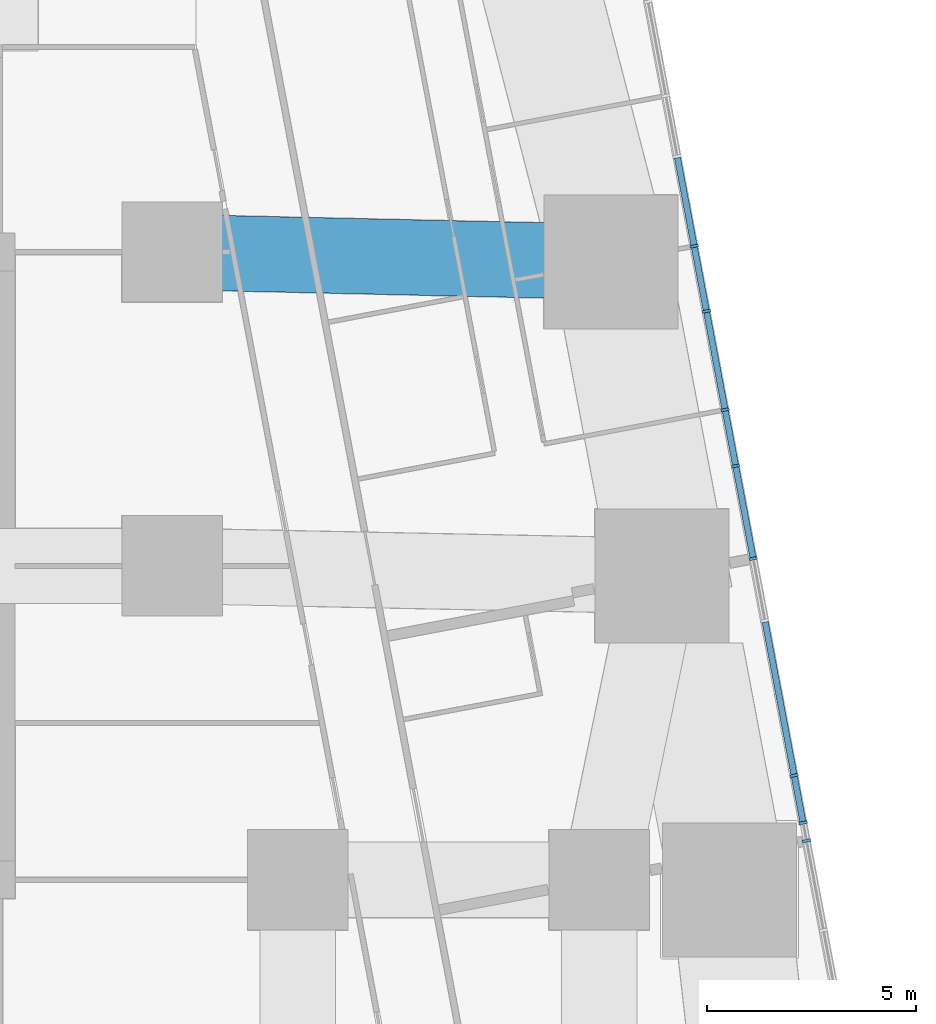
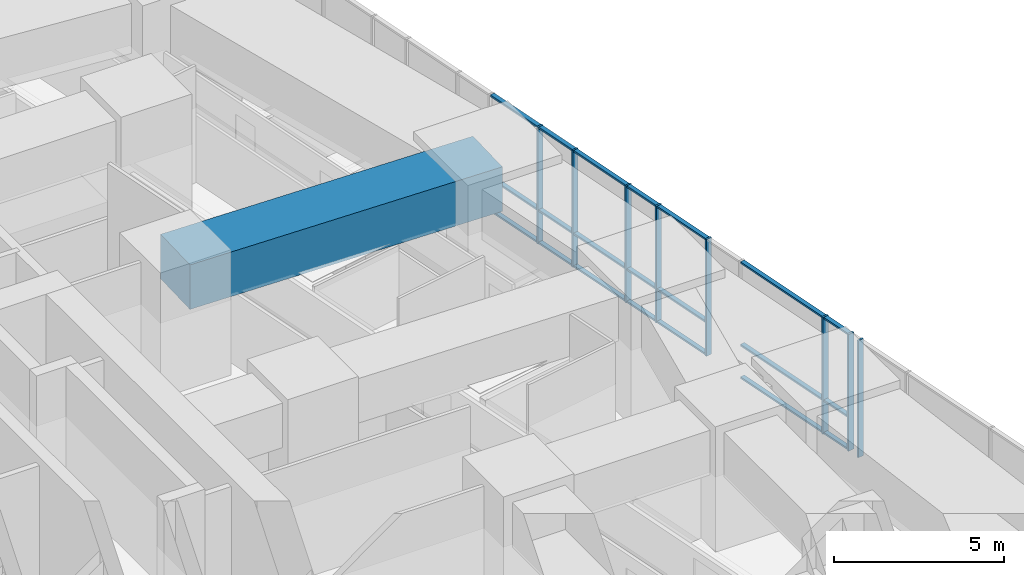
# One storey, part 6 of 23: 29 members, 1 beam, 1 element without a shape of its own.
"""IFC4 building model written with IfcOpenShell, lengths in metres."""

from ifc_helpers import new_model, si_unit, direction, frame, origin, origin_2d, place, context, subcontext, project, spatial, rectangle, extrude, material, material_profile, profile_set, type_object, element, aggregate, save


model = new_model("IFC4")

# Units and contexts
model_context = context("Model", 3, precision=1e-05, world=origin(), true_north=direction((0.0, 1.0)))
body_context = subcontext(model_context, "Body", "Model", "MODEL_VIEW")
ifc_project = project(units=[si_unit("LENGTHUNIT", "METRE"), si_unit("AREAUNIT", "SQUARE_METRE"), si_unit("VOLUMEUNIT", "CUBIC_METRE"), si_unit("PLANEANGLEUNIT", "RADIAN"), si_unit("MASSUNIT", "GRAM", prefix="KILO")], contexts=[model_context])

# Site, building, storey
site_placement = place(None, origin())
site = spatial("IfcSite", under=ifc_project, at=site_placement, CompositionType="ELEMENT")
building_placement = place(site_placement, origin())
building = spatial("IfcBuilding", under=site, at=building_placement, Name="Sheger Commons Tower", CompositionType="ELEMENT")
storey_placement = place(building_placement, frame((0.0, 0.0, 5.60009765625)))
storey = spatial("IfcBuildingStorey", under=building, at=storey_placement, Name="L01", CompositionType="ELEMENT", Elevation=5.60009765625)

# Beam
ifc_material_1 = material(Name="Concrete C50/60", Category="concrete")
ifc_material_profile_1 = material_profile(ifc_material_1, rectangle(XDim=1.800048828125, YDim=1.60009765625, at=origin_2d()), Name="RC 1800x1600")
ifc_profile_set_1 = profile_set([ifc_material_profile_1], Name="Concrete C50/60")
beam_type = type_object("IfcBeamType", Name="BEAM RC 1800x1600", PredefinedType="BEAM", material=ifc_profile_set_1)
beam_placement = place(storey_placement, frame((33.0, 30.0, 3.39990234375), z_axis=(0.999744258625, -0.022614538395, 0.0), x_axis=(0.022614538395, 0.999744258625, 0.0)))
element("IfcBeam", 1, at=beam_placement, inside=storey, type_object=beam_type, Name="Beam 6-3000/E-E/E under L02", PredefinedType="BEAM", context=body_context, shape_type="SweptSolid", body=[
    extrude(rectangle(XDim=1.800048828125, YDim=1.60009765625, at=origin_2d()), origin(), (0.0, 0.0, 1.0), 10.482666015625),
])

# Curtain wall, members
ifc_material_2 = material(Name="Black aluminium curtain wall, dark tinted glazing", Category="aluminium")
curtain_wall_type = type_object("IfcCurtainWallType", Name="CURTAIN WALL CW2 HEALTH CENTRE", PredefinedType="USERDEFINED", material=ifc_material_2)
curtain_wall_placement = place(storey_placement, origin())
curtain_wall = element("IfcCurtainWall", 2, at=curtain_wall_placement, inside=storey, type_object=curtain_wall_type, Name="Curtain Wall Cw2 Health Centre E1 L01", ObjectType="STICK CURTAIN WALL", PredefinedType="USERDEFINED")
ifc_material_3 = material(Name="Black anodised aluminium", Category="aluminium")
ifc_material_profile_2 = material_profile(ifc_material_3, rectangle(XDim=0.199951171875, YDim=0.06494140625, at=origin_2d()), Name="AL 65x200")
ifc_profile_set_2 = profile_set([ifc_material_profile_2], Name="Black anodised aluminium")
member_type_1 = type_object("IfcMemberType", Name="MULLION AL 65x200", PredefinedType="MULLION", material=ifc_profile_set_2)
member_1_placement = place(storey_placement, frame((48.153564453125, 15.93505859375, 0.0), z_axis=(0.0, 0.0, 1.0), x_axis=(-0.982623514181, -0.185609884918, 0.0)))
member_1 = element("IfcMember", 3, at=member_1_placement, type_object=member_type_1, Name="CW2 mullion 6", PredefinedType="MULLION", context=body_context, shape_type="SweptSolid", body=[
    extrude(rectangle(XDim=0.199951171875, YDim=0.06494140625, at=origin_2d()), origin(), (0.0, 0.0, 1.0), 4.199951171875),
])
member_2_placement = place(storey_placement, frame((48.07275390625, 16.363525390625, 0.0), z_axis=(0.0, 0.0, 1.0), x_axis=(-0.982623514181, -0.185609884918, 0.0)))
member_2 = element("IfcMember", 4, at=member_2_placement, type_object=member_type_1, Name="CW2 mullion 7", PredefinedType="MULLION", context=body_context, shape_type="SweptSolid", body=[
    extrude(rectangle(XDim=0.199951171875, YDim=0.06494140625, at=origin_2d()), origin(), (0.0, 0.0, 1.0), 4.199951171875),
])
member_3_placement = place(storey_placement, frame((47.859130859375, 17.493408203125, 0.0), z_axis=(0.0, 0.0, 1.0), x_axis=(-0.982623514181, -0.185609884918, 0.0)))
member_3 = element("IfcMember", 5, at=member_3_placement, type_object=member_type_1, Name="CW2 mullion 8", PredefinedType="MULLION", context=body_context, shape_type="SweptSolid", body=[
    extrude(rectangle(XDim=0.199951171875, YDim=0.06494140625, at=origin_2d()), origin(), (0.0, 0.0, 1.0), 4.199951171875),
])
member_4_placement = place(storey_placement, frame((46.88037109375, 22.6748046875, 0.0), z_axis=(0.0, 0.0, 1.0), x_axis=(-0.982623514181, -0.185609884918, 0.0)))
member_4 = element("IfcMember", 6, at=member_4_placement, type_object=member_type_1, Name="CW2 mullion 10", PredefinedType="MULLION", context=body_context, shape_type="SweptSolid", body=[
    extrude(rectangle(XDim=0.199951171875, YDim=0.06494140625, at=origin_2d()), origin(), (0.0, 0.0, 1.0), 4.199951171875),
])
member_5_placement = place(storey_placement, frame((46.46240234375, 24.888671875, 0.0), z_axis=(0.0, 0.0, 1.0), x_axis=(-0.982623514181, -0.185609884918, 0.0)))
member_5 = element("IfcMember", 7, at=member_5_placement, type_object=member_type_1, Name="CW2 mullion 11", PredefinedType="MULLION", context=body_context, shape_type="SweptSolid", body=[
    extrude(rectangle(XDim=0.199951171875, YDim=0.06494140625, at=origin_2d()), origin(), (0.0, 0.0, 1.0), 4.199951171875),
])
member_6_placement = place(storey_placement, frame((46.208740234375, 26.23095703125, 0.0), z_axis=(0.0, 0.0, 1.0), x_axis=(-0.982623514181, -0.185609884918, 0.0)))
member_6 = element("IfcMember", 8, at=member_6_placement, type_object=member_type_1, Name="CW2 mullion 12", PredefinedType="MULLION", context=body_context, shape_type="SweptSolid", body=[
    extrude(rectangle(XDim=0.199951171875, YDim=0.06494140625, at=origin_2d()), origin(), (0.0, 0.0, 1.0), 4.199951171875),
])
member_7_placement = place(storey_placement, frame((45.763916015625, 28.586181640625, 0.0), z_axis=(0.0, 0.0, 1.0), x_axis=(-0.982623514181, -0.185609884918, 0.0)))
member_7 = element("IfcMember", 9, at=member_7_placement, type_object=member_type_1, Name="CW2 mullion 13", PredefinedType="MULLION", context=body_context, shape_type="SweptSolid", body=[
    extrude(rectangle(XDim=0.199951171875, YDim=0.06494140625, at=origin_2d()), origin(), (0.0, 0.0, 1.0), 4.199951171875),
])
member_8_placement = place(storey_placement, frame((45.470703125, 30.138916015625, 0.0), z_axis=(0.0, 0.0, 1.0), x_axis=(-0.982623514181, -0.185609884918, 0.0)))
member_8 = element("IfcMember", 10, at=member_8_placement, type_object=member_type_1, Name="CW2 mullion 14", PredefinedType="MULLION", context=body_context, shape_type="SweptSolid", body=[
    extrude(rectangle(XDim=0.199951171875, YDim=0.06494140625, at=origin_2d()), origin(), (0.0, 0.0, 1.0), 4.199951171875),
])
ifc_material_4 = material(Name="Black anodised aluminium", Category="aluminium")
ifc_material_profile_3 = material_profile(ifc_material_4, rectangle(XDim=0.14990234375, YDim=0.06494140625, at=origin_2d()), Name="AL 65x150")
ifc_profile_set_3 = profile_set([ifc_material_profile_3], Name="Black anodised aluminium")
member_type_2 = type_object("IfcMemberType", Name="TRANSOM AL 65x150", PredefinedType="USERDEFINED", material=ifc_profile_set_3)
member_9_placement = place(storey_placement, frame((48.066650390625, 16.395263671875, 0.032470703125), z_axis=(-0.18563332851, 0.98261908558, 0.0), x_axis=(-0.98261908558, -0.18563332851, 0.0)))
member_9 = element("IfcMember", 11, at=member_9_placement, type_object=member_type_2, Name="CW2 transom 7.1", ObjectType="TRANSOM", PredefinedType="USERDEFINED", context=body_context, shape_type="SweptSolid", body=[
    extrude(rectangle(XDim=0.14990234375, YDim=0.06494140625, at=origin_2d()), origin(), (0.0, 0.0, 1.0), 1.0849609375),
])
member_10_placement = place(storey_placement, frame((48.066650390625, 16.395263671875, 1.199951171875), z_axis=(-0.18563332851, 0.98261908558, 0.0), x_axis=(-0.98261908558, -0.18563332851, 0.0)))
member_10 = element("IfcMember", 12, at=member_10_placement, type_object=member_type_2, Name="CW2 transom 7.2", ObjectType="TRANSOM", PredefinedType="USERDEFINED", context=body_context, shape_type="SweptSolid", body=[
    extrude(rectangle(XDim=0.14990234375, YDim=0.06494140625, at=origin_2d()), origin(), (0.0, 0.0, 1.0), 1.0849609375),
])
member_11_placement = place(storey_placement, frame((48.066650390625, 16.395263671875, 4.16748046875), z_axis=(-0.18563332851, 0.98261908558, 0.0), x_axis=(-0.98261908558, -0.18563332851, 0.0)))
member_11 = element("IfcMember", 13, at=member_11_placement, type_object=member_type_2, Name="CW2 transom 7.3", ObjectType="TRANSOM", PredefinedType="USERDEFINED", context=body_context, shape_type="SweptSolid", body=[
    extrude(rectangle(XDim=0.14990234375, YDim=0.06494140625, at=origin_2d()), origin(), (0.0, 0.0, 1.0), 1.0849609375),
])
member_12_placement = place(storey_placement, frame((47.853271484375, 17.525390625, 0.032470703125), z_axis=(-0.18564360451, 0.982617144215, 0.0), x_axis=(-0.982617144215, -0.18564360451, 0.0)))
member_12 = element("IfcMember", 14, at=member_12_placement, type_object=member_type_2, Name="CW2 transom 8.1", ObjectType="TRANSOM", PredefinedType="USERDEFINED", context=body_context, shape_type="SweptSolid", body=[
    extrude(rectangle(XDim=0.14990234375, YDim=0.06494140625, at=origin_2d()), origin(), (0.0, 0.0, 1.0), 3.697998046875),
])
member_13_placement = place(storey_placement, frame((47.853271484375, 17.525390625, 1.199951171875), z_axis=(-0.18564360451, 0.982617144215, 0.0), x_axis=(-0.982617144215, -0.18564360451, 0.0)))
member_13 = element("IfcMember", 15, at=member_13_placement, type_object=member_type_2, Name="CW2 transom 8.2", ObjectType="TRANSOM", PredefinedType="USERDEFINED", context=body_context, shape_type="SweptSolid", body=[
    extrude(rectangle(XDim=0.14990234375, YDim=0.06494140625, at=origin_2d()), origin(), (0.0, 0.0, 1.0), 3.697998046875),
])
member_14_placement = place(storey_placement, frame((47.853271484375, 17.525390625, 4.16748046875), z_axis=(-0.18564360451, 0.982617144215, 0.0), x_axis=(-0.982617144215, -0.18564360451, 0.0)))
member_14 = element("IfcMember", 16, at=member_14_placement, type_object=member_type_2, Name="CW2 transom 8.3", ObjectType="TRANSOM", PredefinedType="USERDEFINED", context=body_context, shape_type="SweptSolid", body=[
    extrude(rectangle(XDim=0.14990234375, YDim=0.06494140625, at=origin_2d()), origin(), (0.0, 0.0, 1.0), 3.697998046875),
])
member_15_placement = place(storey_placement, frame((46.87451171875, 22.706787109375, 0.032470703125), z_axis=(-0.185676206865, 0.982610984166, 0.0), x_axis=(-0.982610984166, -0.185676206865, 0.0)))
member_15 = element("IfcMember", 17, at=member_15_placement, type_object=member_type_2, Name="CW2 transom 10.1", ObjectType="TRANSOM", PredefinedType="USERDEFINED", context=body_context, shape_type="SweptSolid", body=[
    extrude(rectangle(XDim=0.14990234375, YDim=0.06494140625, at=origin_2d()), origin(), (0.0, 0.0, 1.0), 2.18798828125),
])
member_16_placement = place(storey_placement, frame((46.87451171875, 22.706787109375, 1.199951171875), z_axis=(-0.185676206865, 0.982610984166, 0.0), x_axis=(-0.982610984166, -0.185676206865, 0.0)))
member_16 = element("IfcMember", 18, at=member_16_placement, type_object=member_type_2, Name="CW2 transom 10.2", ObjectType="TRANSOM", PredefinedType="USERDEFINED", context=body_context, shape_type="SweptSolid", body=[
    extrude(rectangle(XDim=0.14990234375, YDim=0.06494140625, at=origin_2d()), origin(), (0.0, 0.0, 1.0), 2.18798828125),
])
member_17_placement = place(storey_placement, frame((46.87451171875, 22.706787109375, 4.16748046875), z_axis=(-0.185676206865, 0.982610984166, 0.0), x_axis=(-0.982610984166, -0.185676206865, 0.0)))
member_17 = element("IfcMember", 19, at=member_17_placement, type_object=member_type_2, Name="CW2 transom 10.3", ObjectType="TRANSOM", PredefinedType="USERDEFINED", context=body_context, shape_type="SweptSolid", body=[
    extrude(rectangle(XDim=0.14990234375, YDim=0.06494140625, at=origin_2d()), origin(), (0.0, 0.0, 1.0), 2.18798828125),
])
member_18_placement = place(storey_placement, frame((46.456298828125, 24.920654296875, 0.032470703125), z_axis=(-0.185602748046, 0.982624862253, 0.0), x_axis=(-0.982624862253, -0.185602748046, 0.0)))
member_18 = element("IfcMember", 20, at=member_18_placement, type_object=member_type_2, Name="CW2 transom 11.1", ObjectType="TRANSOM", PredefinedType="USERDEFINED", context=body_context, shape_type="SweptSolid", body=[
    extrude(rectangle(XDim=0.14990234375, YDim=0.06494140625, at=origin_2d()), origin(), (0.0, 0.0, 1.0), 1.301025390625),
])
member_19_placement = place(storey_placement, frame((46.456298828125, 24.920654296875, 1.199951171875), z_axis=(-0.185602748046, 0.982624862253, 0.0), x_axis=(-0.982624862253, -0.185602748046, 0.0)))
member_19 = element("IfcMember", 21, at=member_19_placement, type_object=member_type_2, Name="CW2 transom 11.2", ObjectType="TRANSOM", PredefinedType="USERDEFINED", context=body_context, shape_type="SweptSolid", body=[
    extrude(rectangle(XDim=0.14990234375, YDim=0.06494140625, at=origin_2d()), origin(), (0.0, 0.0, 1.0), 1.301025390625),
])
member_20_placement = place(storey_placement, frame((46.456298828125, 24.920654296875, 4.16748046875), z_axis=(-0.185602748046, 0.982624862253, 0.0), x_axis=(-0.982624862253, -0.185602748046, 0.0)))
member_20 = element("IfcMember", 22, at=member_20_placement, type_object=member_type_2, Name="CW2 transom 11.3", ObjectType="TRANSOM", PredefinedType="USERDEFINED", context=body_context, shape_type="SweptSolid", body=[
    extrude(rectangle(XDim=0.14990234375, YDim=0.06494140625, at=origin_2d()), origin(), (0.0, 0.0, 1.0), 1.301025390625),
])
member_21_placement = place(storey_placement, frame((46.20263671875, 26.262939453125, 0.032470703125), z_axis=(-0.185615759964, 0.982622404412, 0.0), x_axis=(-0.982622404412, -0.185615759964, 0.0)))
member_21 = element("IfcMember", 23, at=member_21_placement, type_object=member_type_2, Name="CW2 transom 12.1", ObjectType="TRANSOM", PredefinedType="USERDEFINED", context=body_context, shape_type="SweptSolid", body=[
    extrude(rectangle(XDim=0.14990234375, YDim=0.06494140625, at=origin_2d()), origin(), (0.0, 0.0, 1.0), 2.33203125),
])
member_22_placement = place(storey_placement, frame((46.20263671875, 26.262939453125, 1.199951171875), z_axis=(-0.185615759964, 0.982622404412, 0.0), x_axis=(-0.982622404412, -0.185615759964, 0.0)))
member_22 = element("IfcMember", 24, at=member_22_placement, type_object=member_type_2, Name="CW2 transom 12.2", ObjectType="TRANSOM", PredefinedType="USERDEFINED", context=body_context, shape_type="SweptSolid", body=[
    extrude(rectangle(XDim=0.14990234375, YDim=0.06494140625, at=origin_2d()), origin(), (0.0, 0.0, 1.0), 2.33203125),
])
member_23_placement = place(storey_placement, frame((46.20263671875, 26.262939453125, 4.16748046875), z_axis=(-0.185615759964, 0.982622404412, 0.0), x_axis=(-0.982622404412, -0.185615759964, 0.0)))
member_23 = element("IfcMember", 25, at=member_23_placement, type_object=member_type_2, Name="CW2 transom 12.3", ObjectType="TRANSOM", PredefinedType="USERDEFINED", context=body_context, shape_type="SweptSolid", body=[
    extrude(rectangle(XDim=0.14990234375, YDim=0.06494140625, at=origin_2d()), origin(), (0.0, 0.0, 1.0), 2.33203125),
])
member_24_placement = place(storey_placement, frame((45.7578125, 28.6181640625, 0.032470703125), z_axis=(-0.185630977096, 0.982619529799, 0.0), x_axis=(-0.982619529799, -0.185630977096, 0.0)))
member_24 = element("IfcMember", 26, at=member_24_placement, type_object=member_type_2, Name="CW2 transom 13.1", ObjectType="TRANSOM", PredefinedType="USERDEFINED", context=body_context, shape_type="SweptSolid", body=[
    extrude(rectangle(XDim=0.14990234375, YDim=0.06494140625, at=origin_2d()), origin(), (0.0, 0.0, 1.0), 1.51513671875),
])
member_25_placement = place(storey_placement, frame((45.7578125, 28.6181640625, 1.199951171875), z_axis=(-0.185630977096, 0.982619529799, 0.0), x_axis=(-0.982619529799, -0.185630977096, 0.0)))
member_25 = element("IfcMember", 27, at=member_25_placement, type_object=member_type_2, Name="CW2 transom 13.2", ObjectType="TRANSOM", PredefinedType="USERDEFINED", context=body_context, shape_type="SweptSolid", body=[
    extrude(rectangle(XDim=0.14990234375, YDim=0.06494140625, at=origin_2d()), origin(), (0.0, 0.0, 1.0), 1.51513671875),
])
member_26_placement = place(storey_placement, frame((45.7578125, 28.6181640625, 4.16748046875), z_axis=(-0.185630977096, 0.982619529799, 0.0), x_axis=(-0.982619529799, -0.185630977096, 0.0)))
member_26 = element("IfcMember", 28, at=member_26_placement, type_object=member_type_2, Name="CW2 transom 13.3", ObjectType="TRANSOM", PredefinedType="USERDEFINED", context=body_context, shape_type="SweptSolid", body=[
    extrude(rectangle(XDim=0.14990234375, YDim=0.06494140625, at=origin_2d()), origin(), (0.0, 0.0, 1.0), 1.51513671875),
])
member_27_placement = place(storey_placement, frame((45.464599609375, 30.170654296875, 0.032470703125), z_axis=(-0.18557585976, 0.982629940656, 0.0), x_axis=(-0.982629940656, -0.18557585976, 0.0)))
member_27 = element("IfcMember", 29, at=member_27_placement, type_object=member_type_2, Name="CW2 transom 14.1", ObjectType="TRANSOM", PredefinedType="USERDEFINED", context=body_context, shape_type="SweptSolid", body=[
    extrude(rectangle(XDim=0.14990234375, YDim=0.06494140625, at=origin_2d()), origin(), (0.0, 0.0, 1.0), 2.1181640625),
])
member_28_placement = place(storey_placement, frame((45.464599609375, 30.170654296875, 1.199951171875), z_axis=(-0.18557585976, 0.982629940656, 0.0), x_axis=(-0.982629940656, -0.18557585976, 0.0)))
member_28 = element("IfcMember", 30, at=member_28_placement, type_object=member_type_2, Name="CW2 transom 14.2", ObjectType="TRANSOM", PredefinedType="USERDEFINED", context=body_context, shape_type="SweptSolid", body=[
    extrude(rectangle(XDim=0.14990234375, YDim=0.06494140625, at=origin_2d()), origin(), (0.0, 0.0, 1.0), 2.1181640625),
])
member_29_placement = place(storey_placement, frame((45.464599609375, 30.170654296875, 4.16748046875), z_axis=(-0.18557585976, 0.982629940656, 0.0), x_axis=(-0.982629940656, -0.18557585976, 0.0)))
member_29 = element("IfcMember", 31, at=member_29_placement, type_object=member_type_2, Name="CW2 transom 14.3", ObjectType="TRANSOM", PredefinedType="USERDEFINED", context=body_context, shape_type="SweptSolid", body=[
    extrude(rectangle(XDim=0.14990234375, YDim=0.06494140625, at=origin_2d()), origin(), (0.0, 0.0, 1.0), 2.1181640625),
])
aggregate(curtain_wall, [member_1, member_2, member_3, member_4, member_5, member_6, member_7, member_8, member_9, member_10, member_11, member_12, member_13, member_14, member_15, member_16, member_17, member_18, member_19, member_20, member_21, member_22, member_23, member_24, member_25, member_26, member_27, member_28, member_29])

save(model, "model.ifc")
